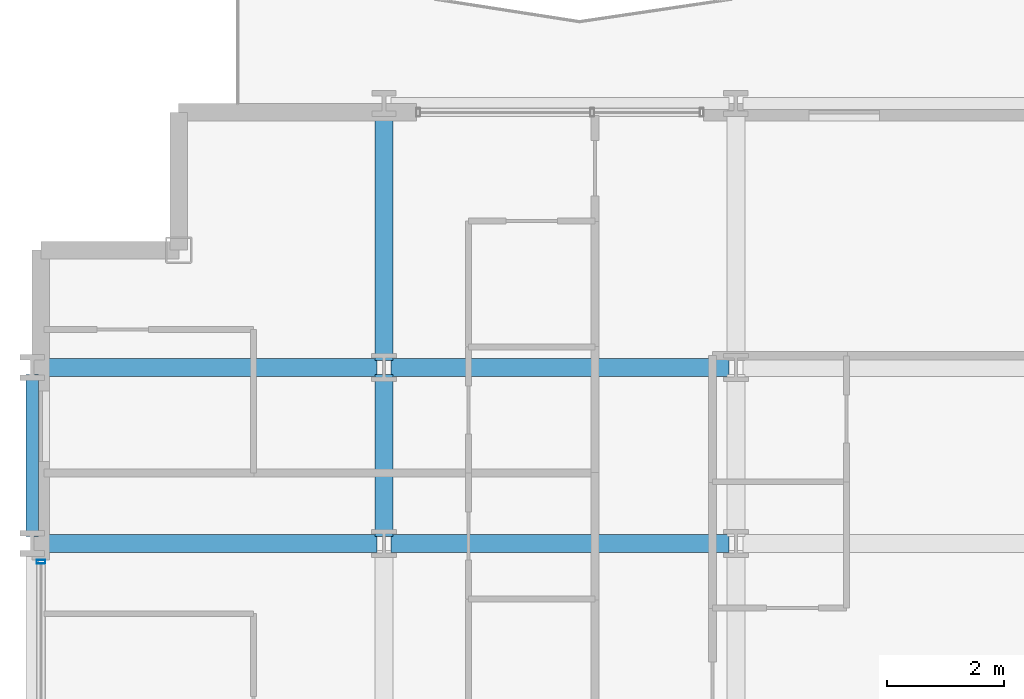
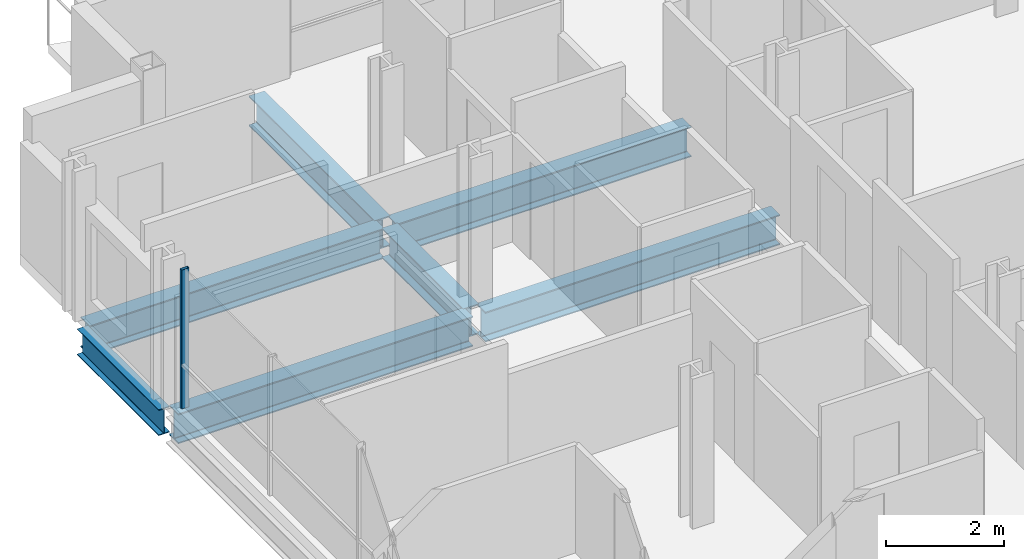
# One storey, part 7 of 40: 7 beams, 1 member, 1 element without a shape of its own.
"""IFC4 building model written with IfcOpenShell, lengths in metres."""

from ifc_helpers import new_model, si_unit, direction, frame, origin, origin_2d, place, context, subcontext, project, spatial, hollow_rectangle, i_section, extrude, material, layer, layer_set, material_profile, profile_set, type_object, element, aggregate, save


model = new_model("IFC4")

# Units and contexts
model_context = context("Model", 3, precision=1e-05, world=origin(), true_north=direction((0.0, 1.0)))
body_context = subcontext(model_context, "Body", "Model", "MODEL_VIEW")
ifc_project = project(units=[si_unit("LENGTHUNIT", "METRE"), si_unit("AREAUNIT", "SQUARE_METRE"), si_unit("VOLUMEUNIT", "CUBIC_METRE"), si_unit("PLANEANGLEUNIT", "RADIAN"), si_unit("MASSUNIT", "GRAM", prefix="KILO")], contexts=[model_context])

# Site, building, storey
site_placement = place(None, origin())
site = spatial("IfcSite", under=ifc_project, at=site_placement, CompositionType="ELEMENT")
building_placement = place(site_placement, origin())
building = spatial("IfcBuilding", under=site, at=building_placement, Name="Brevholm Reach", CompositionType="ELEMENT")
storey_placement = place(building_placement, frame((0.0, 0.0, 31.10009765625)))
storey = spatial("IfcBuildingStorey", under=building, at=storey_placement, Name="L07", CompositionType="ELEMENT", Elevation=31.10009765625)

# Beams
ifc_material_1 = material(Name="Structural Steel S355J2", Category="steel")
ifc_material_profile_1 = material_profile(ifc_material_1, i_section(OverallWidth=0.210693359375, OverallDepth=0.53955078125, WebThickness=0.01171875, FlangeThickness=0.018798828125, FilletRadius=0.0126953125, at=origin_2d()), Name="UKB 533x210x109")
ifc_profile_set_1 = profile_set([ifc_material_profile_1], Name="Structural Steel S355J2")
beam_type_1 = type_object("IfcBeamType", Name="BM-SP539", PredefinedType="SPANDREL", material=ifc_profile_set_1)
beam_1_placement = place(storey_placement, frame((0.0, 23.6201171875, -0.499755859375), z_axis=(0.0, 1.0, 0.0), x_axis=(-1.0, 0.0, 0.0)))
element("IfcBeam", 1, at=beam_1_placement, inside=storey, type_object=beam_type_1, Name="L07 SP-01B Framing Beam", PredefinedType="SPANDREL", context=body_context, shape_type="SweptSolid", body=[
    extrude(i_section(OverallWidth=0.210693359375, OverallDepth=0.53955078125, WebThickness=0.01171875, FlangeThickness=0.018798828125, FilletRadius=0.0126953125, at=origin_2d()), origin(), (0.0, 0.0, 1.0), 2.759765625),
])
ifc_material_2 = material(Name="Structural Steel S355J2", Category="steel")
ifc_material_profile_2 = material_profile(ifc_material_2, i_section(OverallWidth=0.30712890625, OverallDepth=0.6201171875, WebThickness=0.01416015625, FlangeThickness=0.023681640625, FilletRadius=0.0166015625, at=origin_2d()), Name="UKB 610x305x179")
ifc_profile_set_2 = profile_set([ifc_material_profile_2], Name="Structural Steel S355J2")
beam_type_2 = type_object("IfcBeamType", Name="BM-UKB610H", PredefinedType="USERDEFINED", material=ifc_profile_set_2)
for number, where, z_axis, x_axis, name in (
    (2, (0.1201171875, 23.5, -0.540283203125), (1.0, 0.0, 0.0), (0.0, 1.0, 0.0), "L07 G-06 Framing Beam"),
    (3, (6.1201171875, 23.5, -0.540283203125), (1.0, 0.0, 0.0), (0.0, 1.0, 0.0), "L07 G-06 Framing Beam"),
    (4, (0.1201171875, 26.5, -0.540283203125), (1.0, 0.0, 0.0), (0.0, 1.0, 0.0), "L07 G-06 Framing Beam"),
    (5, (6.1201171875, 26.5, -0.540283203125), (1.0, 0.0, 0.0), (0.0, 1.0, 0.0), "L07 G-06 Framing Beam"),
):
    element("IfcBeam", number, at=place(storey_placement, frame(where, z_axis=z_axis, x_axis=x_axis)), inside=storey, type_object=beam_type_2, Name=name, ObjectType="GIRDER", PredefinedType="USERDEFINED", context=body_context, shape_type="SweptSolid", body=[
        extrude(i_section(OverallWidth=0.30712890625, OverallDepth=0.6201171875, WebThickness=0.01416015625, FlangeThickness=0.023681640625, FilletRadius=0.0166015625, at=origin_2d()), origin(), (0.0, 0.0, 1.0), 5.759765625),
    ])
beam_2_placement = place(storey_placement, frame((6.0, 23.6201171875, -0.540283203125), z_axis=(0.0, 1.0, 0.0), x_axis=(-1.0, 0.0, 0.0)))
element("IfcBeam", 6, at=beam_2_placement, inside=storey, type_object=beam_type_2, Name="L07 G-06 Framing Beam", ObjectType="GIRDER", PredefinedType="USERDEFINED", context=body_context, shape_type="SweptSolid", body=[
    extrude(i_section(OverallWidth=0.30712890625, OverallDepth=0.6201171875, WebThickness=0.01416015625, FlangeThickness=0.023681640625, FilletRadius=0.0166015625, at=origin_2d()), origin(), (0.0, 0.0, 1.0), 2.759765625),
])
beam_3_placement = place(storey_placement, frame((6.0, 26.6201171875, -0.540283203125), z_axis=(0.0, 1.0, 0.0), x_axis=(-1.0, 0.0, 0.0)))
element("IfcBeam", 7, at=beam_3_placement, inside=storey, type_object=beam_type_2, Name="L07 G-06 Framing Beam", ObjectType="GIRDER", PredefinedType="USERDEFINED", context=body_context, shape_type="SweptSolid", body=[
    extrude(i_section(OverallWidth=0.30712890625, OverallDepth=0.6201171875, WebThickness=0.01416015625, FlangeThickness=0.023681640625, FilletRadius=0.0166015625, at=origin_2d()), origin(), (0.0, 0.0, 1.0), 4.259765625),
])

# Curtain wall, member
ifc_material_3 = material(Name="Dark Anodised Aluminium 6063-T6 and Solar-Control Glass", Category="aluminium")
ifc_layer = layer(ifc_material_3, 0.14990234375)
ifc_layer_set = layer_set([ifc_layer], Name="Dark Anodised Aluminium 6063-T6 and Solar-Control Glass")
curtain_wall_type = type_object("IfcCurtainWallType", Name="CW-01", PredefinedType="NOTDEFINED", material=ifc_layer_set)
curtain_wall_placement = place(storey_placement, origin())
curtain_wall = element("IfcCurtainWall", 8, at=curtain_wall_placement, inside=storey, type_object=curtain_wall_type, Name="L07 Curtain Wall CW-01", PredefinedType="NOTDEFINED")
ifc_material_4 = material(Name="Dark Anodised Aluminium 6063-T6", Category="aluminium")
ifc_material_profile_3 = material_profile(ifc_material_4, hollow_rectangle(XDim=0.06494140625, YDim=0.14990234375, WallThickness=0.0048828125, InnerFilletRadius=0.0048828125, OuterFilletRadius=0.010009765625, at=origin_2d()), Name="RHS 150x65x5")
ifc_profile_set_3 = profile_set([ifc_material_profile_3], Name="Dark Anodised Aluminium 6063-T6")
member_type = type_object("IfcMemberType", Name="CWM-150", PredefinedType="MULLION", material=ifc_profile_set_3)
member_placement = place(storey_placement, frame((0.14990234375, 23.1875, 0.0), z_axis=(0.0, 0.0, 1.0), x_axis=(0.0, -1.0, 0.0)))
member = element("IfcMember", 9, at=member_placement, type_object=member_type, Name="CM-150 Mullion 1", PredefinedType="MULLION", context=body_context, shape_type="SweptSolid", body=[
    extrude(hollow_rectangle(XDim=0.06494140625, YDim=0.14990234375, WallThickness=0.0048828125, InnerFilletRadius=0.0048828125, OuterFilletRadius=0.010009765625, at=origin_2d()), origin(), (0.0, 0.0, 1.0), 2.869873046875),
])
aggregate(curtain_wall, [member])

save(model, "model.ifc")
